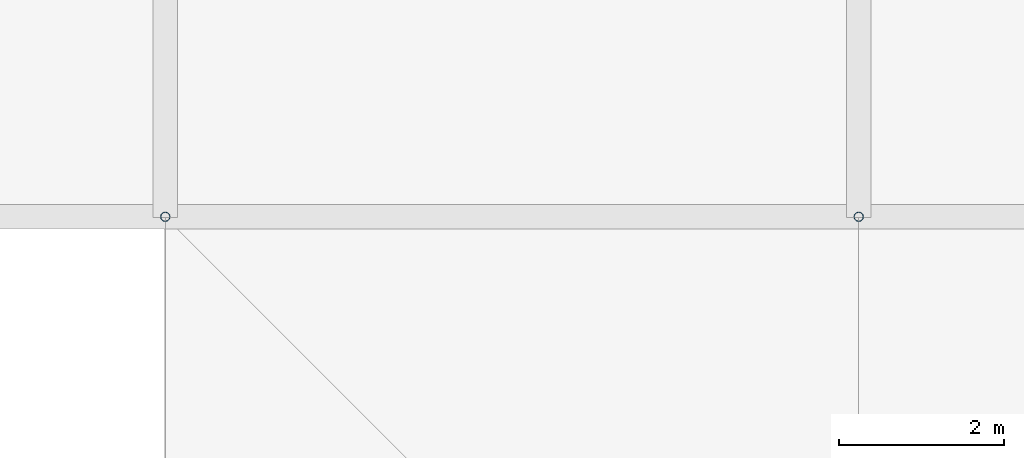
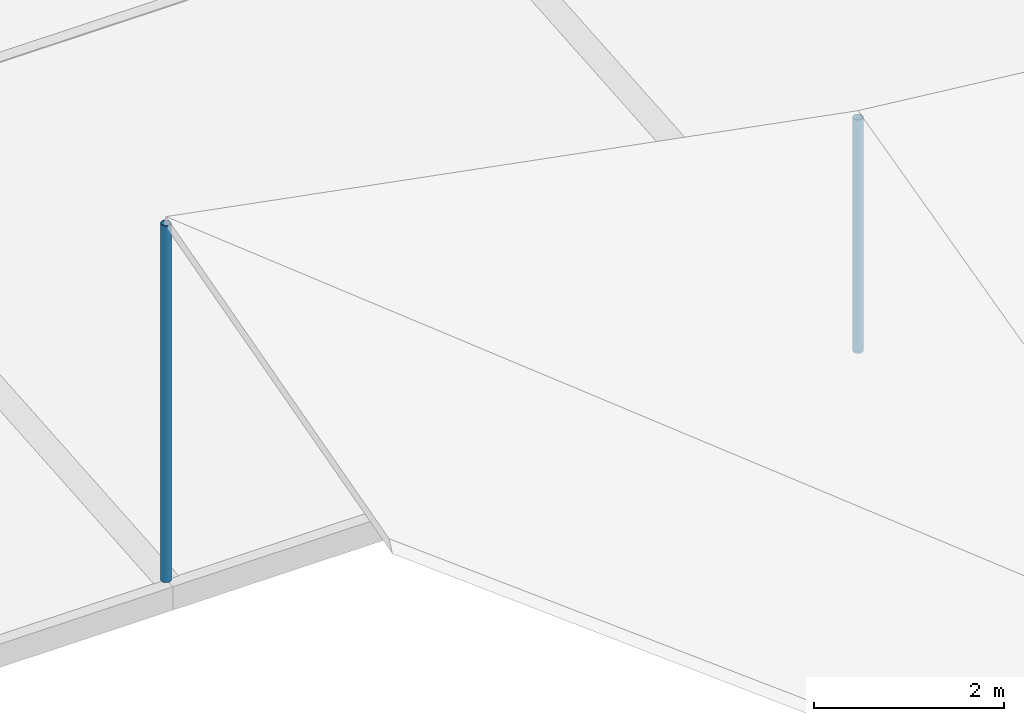
# One storey, part 19 of 37: 2 discrete accessories.
"""IFC4 building model written with IfcOpenShell, lengths in metres."""

import ifcopenshell
import ifcopenshell.guid

model = None  # the IFC model being written
_history = None  # IfcOwnerHistory: only IFC2X3 demands one
_inside = {}  # id of a spatial element -> (the spatial element, [elements in it])
_under = {}  # id of a project, library or spatial element -> (it, [spatial elements below it])
_declared = {}  # id of a project -> (the project, [libraries it declares])
_typed = {}  # id of a type object -> (the type object, [elements of that type])
_made_of = {}  # id of a material, layer set ... -> (it, [elements and type objects made of it])


def new_model(schema):
    """Start an empty IFC model of exactly this schema.

    Asked for "IFC4X3", IfcOpenShell would pick the latest addendum, in which some entities
    have other attributes; the version numbers below select the first issue.
    IFC2X3 requires an IfcOwnerHistory on every rooted entity: one is made here for all.
    """
    global model, _history
    if schema == "IFC4X3":
        model = ifcopenshell.file(schema_version=(4, 3, 0, 0))
    else:
        model = ifcopenshell.file(schema=schema)
    _inside.clear()
    _under.clear()
    _declared.clear()
    _typed.clear()
    _made_of.clear()
    _history = None
    if model.schema == "IFC2X3":
        org = make("IfcOrganization", Name="unknown")
        user = make(
            "IfcPersonAndOrganization",
            ThePerson=make("IfcPerson", FamilyName="unknown"),
            TheOrganization=org,
        )
        app = make(
            "IfcApplication",
            ApplicationDeveloper=org,
            Version="unknown",
            ApplicationFullName="unknown",
            ApplicationIdentifier="unknown",
        )
        _history = make(
            "IfcOwnerHistory",
            OwningUser=user,
            OwningApplication=app,
            ChangeAction="ADDED",
            CreationDate=0,
        )
    return model


def make(cls, **values):
    """One entity of the class cls with the attributes given. An attribute that is None is left unset."""
    return model.create_entity(
        cls, **{name: value for name, value in values.items() if value is not None}
    )


def rooted(cls, **values):
    """An entity with a GlobalId (a new one), such as an element, a storey or a relation."""
    return make(cls, GlobalId=ifcopenshell.guid.new(), OwnerHistory=_history, **values)


def si_unit(unit_type, name, prefix=None):
    """IfcSIUnit, for example si_unit("LENGTHUNIT", "METRE", prefix="MILLI")."""
    return make("IfcSIUnit", UnitType=unit_type, Prefix=prefix, Name=name)


def assignment(units):
    """IfcUnitAssignment: the units of a project."""
    return None if units is None else make("IfcUnitAssignment", Units=units)


def point(xyz):
    """IfcCartesianPoint."""
    return None if xyz is None else make("IfcCartesianPoint", Coordinates=xyz)


def direction(xyz):
    """IfcDirection."""
    return None if xyz is None else make("IfcDirection", DirectionRatios=xyz)


def frame(location, z_axis=None, x_axis=None):
    """IfcAxis2Placement3D, a coordinate frame: its origin and axes. An axis left out is left unset."""
    return make(
        "IfcAxis2Placement3D",
        Location=point(location),
        Axis=direction(z_axis),
        RefDirection=direction(x_axis),
    )


def frame_2d(location, x_axis=None):
    """IfcAxis2Placement2D, a coordinate frame in the plane: its origin and x axis."""
    return make(
        "IfcAxis2Placement2D", Location=point(location), RefDirection=direction(x_axis)
    )


def origin():
    """The frame at (0, 0, 0) with its axes left unset."""
    return frame((0.0, 0.0, 0.0))


def origin_2d():
    """The frame at (0, 0) in the plane with its x axis left unset."""
    return frame_2d((0.0, 0.0))


def place(relative_to, where):
    """IfcLocalPlacement: puts the frame where relative to a parent placement (None: the world)."""
    return make(
        "IfcLocalPlacement", PlacementRelTo=relative_to, RelativePlacement=where
    )


def context(
    kind, dimensions, precision=None, world=None, true_north=None, identifier=None
):
    """IfcGeometricRepresentationContext, for example the 3D "Model" context."""
    return make(
        "IfcGeometricRepresentationContext",
        ContextIdentifier=identifier,
        ContextType=kind,
        CoordinateSpaceDimension=dimensions,
        Precision=precision,
        WorldCoordinateSystem=world,
        TrueNorth=true_north,
    )


def subcontext(parent, identifier, kind, view, scale=None):
    """IfcGeometricRepresentationSubContext, for example "Body" below "Model"."""
    return make(
        "IfcGeometricRepresentationSubContext",
        ContextIdentifier=identifier,
        ContextType=kind,
        ParentContext=parent,
        TargetScale=scale,
        TargetView=view,
    )


def project(units=None, contexts=None):
    """IfcProject with its units and contexts."""
    return rooted(
        "IfcProject",
        Name="project",
        RepresentationContexts=contexts,
        UnitsInContext=assignment(units),
    )


def spatial(cls, under=None, at=None, **own):
    """A site, building, storey or space (cls), placed at a placement, below another one or the project."""
    s = rooted(cls, ObjectPlacement=at, **own)
    if under is not None:
        _under.setdefault(under.id(), (under, []))[1].append(s)
    return s


def profile(cls, at=None, kind="AREA", **sizes):
    """A parametric profile (cls). Its sizes go by their IFC names, for example OverallWidth=200.0."""
    return make(cls, ProfileType=kind, Position=at, **sizes)


def hollow_circle(**sizes):
    """IfcCircleHollowProfileDef."""
    return profile("IfcCircleHollowProfileDef", **sizes)


def extrude(swept, where, along, depth):
    """IfcExtrudedAreaSolid: the profile swept, set in the frame where, extruded along a direction by depth."""
    return make(
        "IfcExtrudedAreaSolid",
        SweptArea=swept,
        Position=where,
        ExtrudedDirection=direction(along),
        Depth=depth,
    )


def shape(context_of_items, identifier, shape_type, items):
    """IfcShapeRepresentation: the items that make up one representation, for example the "Body"."""
    return make(
        "IfcShapeRepresentation",
        ContextOfItems=context_of_items,
        RepresentationIdentifier=identifier,
        RepresentationType=shape_type,
        Items=items,
    )


def material(Name=None, Category=None):
    """IfcMaterial."""
    return make("IfcMaterial", Name=Name, Category=Category)


def material_profile(
    of_material, cross_section, Name=None, Category=None, Priority=None
):
    """IfcMaterialProfile: a cross section and its material."""
    return make(
        "IfcMaterialProfile",
        Name=Name,
        Material=of_material,
        Profile=cross_section,
        Priority=Priority,
        Category=Category,
    )


def profile_set(profiles, Name=None, composite=None):
    """IfcMaterialProfileSet."""
    return make(
        "IfcMaterialProfileSet",
        Name=Name,
        MaterialProfiles=profiles,
        CompositeProfile=composite,
    )


def made_of(thing, what):
    """Note that an element or type object is made of a material, layer set ...; save() writes the relation."""
    if what is not None:
        _made_of.setdefault(what.id(), (what, []))[1].append(thing)
    return thing


def type_object(cls, material=None, **own):
    """A type object (cls), such as IfcWallType, which elements share."""
    return made_of(rooted(cls, **own), material)


def element(
    cls,
    number,
    at=None,
    inside=None,
    cuts=None,
    type_object=None,
    material=None,
    context=None,
    identifier="Body",
    shape_type=None,
    held_by="IfcProductDefinitionShape",
    body=None,
    shapes=None,
    **own,
):
    """One element of the class cls, such as IfcWall. Its Tag is "e" and its number.

    at: its placement. inside: the storey or other place that contains it. cuts: it is an
    opening in that element (IfcRelVoidsElement). A single representation is given by context,
    identifier, shape_type and body (its items); several are given by shapes. held_by: the class
    of the entity that holds the representations. save() writes the other relations.
    """
    e = rooted(cls, Tag="e%d" % number, ObjectPlacement=at, **own)
    if body is not None:
        shapes = [shape(context, identifier, shape_type, body)]
    if shapes is not None:
        e.Representation = make(held_by, Representations=shapes)
    if inside is not None:
        _inside.setdefault(inside.id(), (inside, []))[1].append(e)
    if cuts is not None:
        rooted(
            "IfcRelVoidsElement", RelatingBuildingElement=cuts, RelatedOpeningElement=e
        )
    if type_object is not None:
        _typed.setdefault(type_object.id(), (type_object, []))[1].append(e)
    return made_of(e, material)


def aggregate(whole, parts):
    """IfcRelAggregates: a whole, such as a stair, and the parts it consists of."""
    return rooted("IfcRelAggregates", RelatingObject=whole, RelatedObjects=parts)


def save(model, path):
    """Write the relations noted so far, then the file.

    IfcRelAggregates (storeys below a building ...), IfcRelContainedInSpatialStructure (elements
    in a storey), IfcRelDefinesByType, IfcRelAssociatesMaterial and IfcRelDeclares: one each for
    every whole, place, type object, material and project.
    """
    for whole, parts in _under.values():
        aggregate(whole, parts)
    for where, things in _inside.values():
        rooted(
            "IfcRelContainedInSpatialStructure",
            RelatedElements=things,
            RelatingStructure=where,
        )
    for kind, things in _typed.values():
        rooted("IfcRelDefinesByType", RelatedObjects=things, RelatingType=kind)
    for what, things in _made_of.values():
        rooted("IfcRelAssociatesMaterial", RelatedObjects=things, RelatingMaterial=what)
    for by, libraries in _declared.values():
        rooted("IfcRelDeclares", RelatingContext=by, RelatedDefinitions=libraries)
    model.write(path)


model = new_model("IFC4")

# Units and contexts
model_context = context("Model", 3, precision=1e-05, world=origin(), true_north=direction((0.0, 1.0)))
body_context = subcontext(model_context, "Body", "Model", "MODEL_VIEW")
ifc_project = project(units=[si_unit("LENGTHUNIT", "METRE"), si_unit("AREAUNIT", "SQUARE_METRE"), si_unit("VOLUMEUNIT", "CUBIC_METRE"), si_unit("PLANEANGLEUNIT", "RADIAN"), si_unit("MASSUNIT", "GRAM", prefix="KILO")], contexts=[model_context])

# Site, building, storey
site_placement = place(None, origin())
site = spatial("IfcSite", under=ifc_project, at=site_placement, CompositionType="ELEMENT")
building_placement = place(site_placement, origin())
building = spatial("IfcBuilding", under=site, at=building_placement, Name="Rain Tree Exposition and Congress Centre", CompositionType="ELEMENT")
storey_placement = place(building_placement, frame((0.0, 0.0, 25.0)))
storey = spatial("IfcBuildingStorey", under=building, at=storey_placement, Name="ROOF VAULT LOW", CompositionType="ELEMENT", Elevation=25.0)

# Discrete accessories
ifc_material = material(Name="Steel S355J2H", Category="steel")
ifc_material_profile = material_profile(ifc_material, hollow_circle(Radius=0.05712890625, WallThickness=0.00439453125, at=origin_2d()), Name="CHS 114x4.5")
ifc_profile_set = profile_set([ifc_material_profile], Name="Steel S355J2H")
discrete_accessory_type = type_object("IfcDiscreteAccessoryType", Name="Roof skin post CHS 114x4.5", PredefinedType="BRACKET", material=ifc_profile_set)
discrete_accessory_1_placement = place(storey_placement, frame((109.199951171875, 134.39990234375, 0.4892578125), z_axis=(0.0, 0.0, 1.0), x_axis=(1.0, 0.0, 0.0)))
element("IfcDiscreteAccessory", 1, at=discrete_accessory_1_placement, inside=storey, type_object=discrete_accessory_type, Name="Roof skin post A73", PredefinedType="BRACKET", context=body_context, shape_type="SweptSolid", body=[
    extrude(hollow_circle(Radius=0.05712890625, WallThickness=0.00439453125, at=origin_2d()), origin(), (0.0, 0.0, 1.0), 4.57861328125),
])
discrete_accessory_2_placement = place(storey_placement, frame((117.60009765625, 134.39990234375, 0.4892578125), z_axis=(0.0, 0.0, 1.0), x_axis=(1.0, 0.0, 0.0)))
element("IfcDiscreteAccessory", 2, at=discrete_accessory_2_placement, inside=storey, type_object=discrete_accessory_type, Name="Roof skin post A74", PredefinedType="BRACKET", context=body_context, shape_type="SweptSolid", body=[
    extrude(hollow_circle(Radius=0.05712890625, WallThickness=0.00439453125, at=origin_2d()), origin(), (0.0, 0.0, 1.0), 2.99755859375),
])

save(model, "model.ifc")
